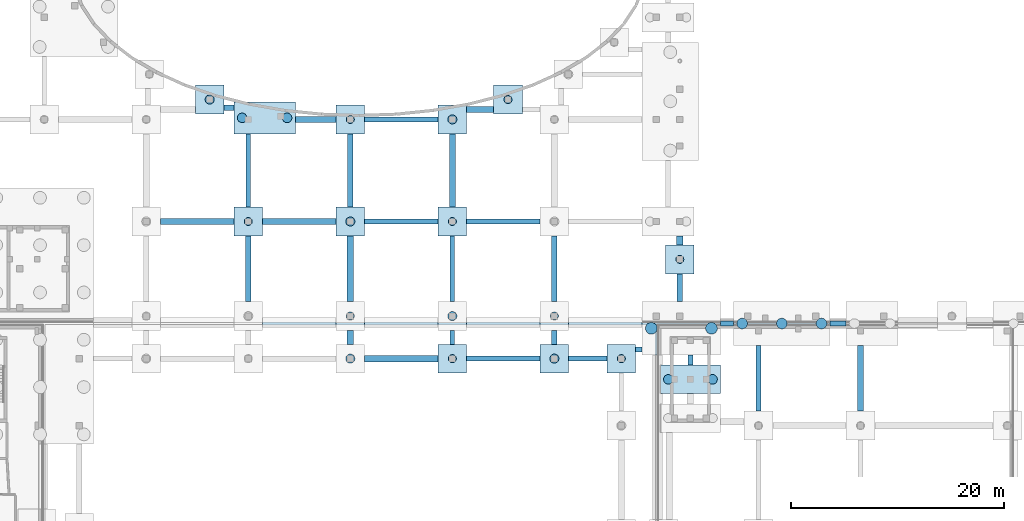
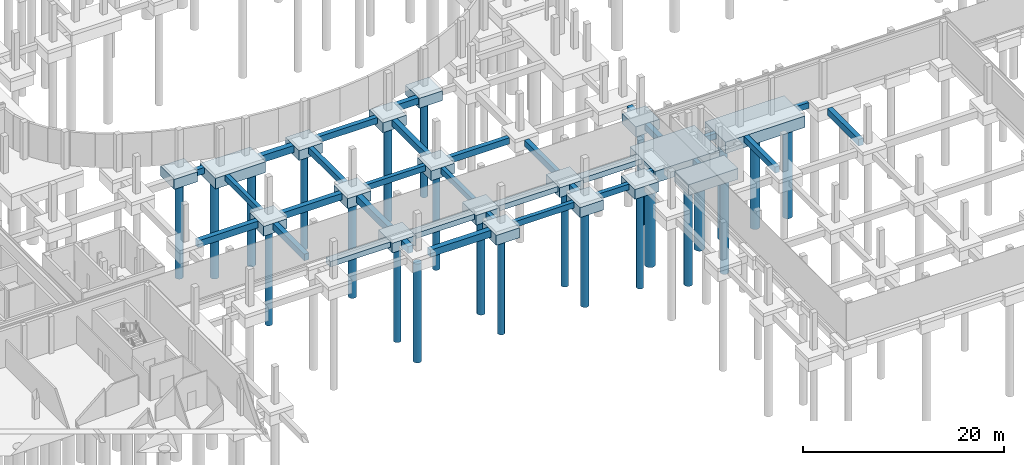
# One storey, part 4 of 40: 51 footings, 24 piles.
"""IFC4 building model written with IfcOpenShell, lengths in metres."""

from ifc_helpers import new_model, si_unit, direction, frame, origin, origin_2d, place, context, subcontext, project, spatial, polyline, circle, outline, extrude, material, material_profile, profile_set, type_object, element, save


model = new_model("IFC4")

# Units and contexts
model_context = context("Model", 3, precision=1e-05, world=origin(), true_north=direction((0.0, 1.0)))
body_context = subcontext(model_context, "Body", "Model", "MODEL_VIEW")
ifc_project = project(units=[si_unit("LENGTHUNIT", "METRE"), si_unit("AREAUNIT", "SQUARE_METRE"), si_unit("VOLUMEUNIT", "CUBIC_METRE"), si_unit("PLANEANGLEUNIT", "RADIAN"), si_unit("MASSUNIT", "GRAM", prefix="KILO")], contexts=[model_context])

# Site, building, storey
site_placement = place(None, origin())
site = spatial("IfcSite", under=ifc_project, at=site_placement, CompositionType="ELEMENT")
building_placement = place(site_placement, origin())
building = spatial("IfcBuilding", under=site, at=building_placement, Name="Mzevani Central Library", CompositionType="ELEMENT")
storey_placement = place(building_placement, frame((0.0, 0.0, -4.5)))
storey = spatial("IfcBuildingStorey", under=building, at=storey_placement, Name="B1", CompositionType="ELEMENT", Elevation=-4.5)

# Piles
ifc_material = material(Name="Concrete C40/50", Category="concrete")
ifc_material_profile_1 = material_profile(ifc_material, circle(Radius=0.5, at=origin_2d()), Name="PILE D1000")
ifc_profile_set_1 = profile_set([ifc_material_profile_1], Name="Concrete C40/50")
pile_type_1 = type_object("IfcPileType", Name="Bored Pile D1000", PredefinedType="BORED", material=ifc_profile_set_1)
for number, where, z_axis, x_axis, name in (
    (1, (120.070068359375, 42.39990234375, -1.719970703125), (0.0, 0.0, -1.0), (1.0, 0.0, 0.0), "B1 Bored Pile P-04 (74)"),
    (2, (123.800048828125, 42.39990234375, -1.719970703125), (0.0, 0.0, -1.0), (1.0, 0.0, 0.0), "B1 Bored Pile P-04 (75)"),
    (3, (127.530029296875, 42.39990234375, -1.719970703125), (0.0, 0.0, -1.0), (1.0, 0.0, 0.0), "B1 Bored Pile P-04 (76)"),
):
    element("IfcPile", number, at=place(storey_placement, frame(where, z_axis=z_axis, x_axis=x_axis)), inside=storey, type_object=pile_type_1, Name=name, PredefinedType="BORED", context=body_context, shape_type="SweptSolid", body=[
        extrude(circle(Radius=0.5, at=origin_2d()), origin(), (0.0, 0.0, 1.0), 11.780029296875),
    ])
ifc_material_profile_2 = material_profile(ifc_material, circle(Radius=0.550048828125, at=origin_2d()), Name="PILE D1100")
ifc_profile_set_2 = profile_set([ifc_material_profile_2], Name="Concrete C40/50")
pile_type_2 = type_object("IfcPileType", Name="Bored Pile D1100", PredefinedType="BORED", material=ifc_profile_set_2)
for number, where, z_axis, x_axis, name in (
    (4, (111.52001953125, 41.949951171875, -1.719970703125), (0.0, 0.0, -1.0), (1.0, 0.0, 0.0), "B1 Bored Pile P-05 (52)"),
    (5, (117.179931640625, 41.949951171875, -1.719970703125), (0.0, 0.0, -1.0), (1.0, 0.0, 0.0), "B1 Bored Pile P-05 (53)"),
):
    element("IfcPile", number, at=place(storey_placement, frame(where, z_axis=z_axis, x_axis=x_axis)), inside=storey, type_object=pile_type_2, Name=name, PredefinedType="BORED", context=body_context, shape_type="SweptSolid", body=[
        extrude(circle(Radius=0.550048828125, at=origin_2d()), origin(), (0.0, 0.0, 1.0), 11.780029296875),
    ])
ifc_material_profile_3 = material_profile(ifc_material, circle(Radius=0.375, at=origin_2d()), Name="PILE D750")
ifc_profile_set_3 = profile_set([ifc_material_profile_3], Name="Concrete C40/50")
pile_type_3 = type_object("IfcPileType", Name="Bored Pile D750", PredefinedType="BORED", material=ifc_profile_set_3)
for number, where, z_axis, x_axis, name in (
    (6, (73.60009765625, 52.0, -1.52001953125), (0.0, 0.0, -1.0), (1.0, 0.0, 0.0), "B1 Bored Pile P-01 (40)"),
    (7, (83.199951171875, 43.10009765625, -1.52001953125), (0.0, 0.0, -1.0), (1.0, 0.0, 0.0), "B1 Bored Pile P-01 (43)"),
    (8, (83.199951171875, 61.60009765625, -1.52001953125), (0.0, 0.0, -1.0), (1.0, 0.0, 0.0), "B1 Bored Pile P-01 (45)"),
    (9, (92.800048828125, 52.0, -1.52001953125), (0.0, 0.0, -1.0), (1.0, 0.0, 0.0), "B1 Bored Pile P-01 (47)"),
    (10, (102.39990234375, 43.10009765625, -1.52001953125), (0.0, 0.0, -1.0), (1.0, 0.0, 0.0), "B1 Bored Pile P-01 (49)"),
    (11, (114.199951171875, 48.43310546875, -1.52001953125), (0.0, 0.0, -1.0), (1.0, 0.0, 0.0), "B1 Bored Pile P-01 (88)"),
    (12, (98.033935546875, 63.471923828125, -1.52001953125), (0.0, 0.0, -1.0), (1.0, 0.0, 0.0), "B1 Bored Pile P-01 (92)"),
    (13, (108.699951171875, 39.10009765625, -1.52001953125), (0.0, 0.0, -1.0), (1.0, 0.0, 0.0), "B1 Bored Pile P-01 (346)"),
    (14, (92.800048828125, 39.10009765625, -1.52001953125), (0.0, 0.0, -1.0), (1.0, 0.0, 0.0), "B1 Bored Pile P-01 (350)"),
):
    element("IfcPile", number, at=place(storey_placement, frame(where, z_axis=z_axis, x_axis=x_axis)), inside=storey, type_object=pile_type_3, Name=name, PredefinedType="BORED", context=body_context, shape_type="SweptSolid", body=[
        extrude(circle(Radius=0.375, at=origin_2d()), origin(), (0.0, 0.0, 1.0), 11.97998046875),
    ])
ifc_material_profile_4 = material_profile(ifc_material, circle(Radius=0.425048828125, at=origin_2d()), Name="PILE D850")
ifc_profile_set_4 = profile_set([ifc_material_profile_4], Name="Concrete C40/50")
pile_type_4 = type_object("IfcPileType", Name="Bored Pile D850", PredefinedType="BORED", material=ifc_profile_set_4)
for number, where, z_axis, x_axis, name in (
    (15, (83.199951171875, 52.0, -1.52001953125), (0.0, 0.0, -1.0), (1.0, 0.0, 0.0), "B1 Bored Pile P-02 (44)"),
    (16, (92.800048828125, 43.10009765625, -1.52001953125), (0.0, 0.0, -1.0), (1.0, 0.0, 0.0), "B1 Bored Pile P-02 (46)"),
    (17, (92.800048828125, 61.60009765625, -1.52001953125), (0.0, 0.0, -1.0), (1.0, 0.0, 0.0), "B1 Bored Pile P-02 (48)"),
    (18, (69.966064453125, 63.471923828125, -1.52001953125), (0.0, 0.0, -1.0), (1.0, 0.0, 0.0), "B1 Bored Pile P-02 (91)"),
    (19, (83.199951171875, 39.10009765625, -1.52001953125), (0.0, 0.0, -1.0), (1.0, 0.0, 0.0), "B1 Bored Pile P-02 (349)"),
    (20, (102.39990234375, 39.10009765625, -1.52001953125), (0.0, 0.0, -1.0), (1.0, 0.0, 0.0), "B1 Bored Pile P-02 (351)"),
):
    element("IfcPile", number, at=place(storey_placement, frame(where, z_axis=z_axis, x_axis=x_axis)), inside=storey, type_object=pile_type_4, Name=name, PredefinedType="BORED", context=body_context, shape_type="SweptSolid", body=[
        extrude(circle(Radius=0.425048828125, at=origin_2d()), origin(), (0.0, 0.0, 1.0), 11.97998046875),
    ])
ifc_material_profile_5 = material_profile(ifc_material, circle(Radius=0.449951171875, at=origin_2d()), Name="PILE D900")
ifc_profile_set_5 = profile_set([ifc_material_profile_5], Name="Concrete C40/50")
pile_type_5 = type_object("IfcPileType", Name="Bored Pile D900", PredefinedType="BORED", material=ifc_profile_set_5)
for number, where, z_axis, x_axis, name in (
    (21, (73.02001953125, 61.751953125, -1.6201171875), (0.0, 0.0, -1.0), (1.0, 0.0, 0.0), "B1 Bored Pile P-03 (41)"),
    (22, (77.251953125, 61.751953125, -1.6201171875), (0.0, 0.0, -1.0), (1.0, 0.0, 0.0), "B1 Bored Pile P-03 (42)"),
    (23, (113.1201171875, 37.14990234375, -1.6201171875), (0.0, 0.0, -1.0), (1.0, 0.0, 0.0), "B1 Bored Pile P-03 (369)"),
    (24, (117.280029296875, 37.14990234375, -1.6201171875), (0.0, 0.0, -1.0), (1.0, 0.0, 0.0), "B1 Bored Pile P-03 (370)"),
):
    element("IfcPile", number, at=place(storey_placement, frame(where, z_axis=z_axis, x_axis=x_axis)), inside=storey, type_object=pile_type_5, Name=name, PredefinedType="BORED", context=body_context, shape_type="SweptSolid", body=[
        extrude(circle(Radius=0.449951171875, at=origin_2d()), origin(), (0.0, 0.0, 1.0), 11.8798828125),
    ])

# Footings
footing_type_1 = type_object("IfcFootingType", Name="Ground Tie Beam RC 450x700", PredefinedType="FOOTING_BEAM", material=ifc_material)
footing_1_placement = place(storey_placement, frame((0.0, 0.0, -1.1201171875)))
element("IfcFooting", 25, at=footing_1_placement, inside=storey, type_object=footing_type_1, Name="MAT Ground Tie Beam GB-01 (65)", PredefinedType="FOOTING_BEAM", context=body_context, shape_type="SweptSolid", body=[
    extrude(outline(polyline([(84.550048828125, 51.77490234375), (91.449951171875, 51.77490234375), (91.449951171875, 52.22509765625), (84.550048828125, 52.22509765625), (84.550048828125, 51.77490234375)])), origin(), (0.0, 0.0, 1.0), 0.7001953125),
])
footing_2_placement = place(storey_placement, frame((0.0, 0.0, -1.1201171875)))
element("IfcFooting", 26, at=footing_2_placement, inside=storey, type_object=footing_type_1, Name="MAT Ground Tie Beam GB-01 (69)", PredefinedType="FOOTING_BEAM", context=body_context, shape_type="SweptSolid", body=[
    extrude(outline(polyline([(94.14990234375, 38.875), (101.050048828125, 38.875), (101.050048828125, 39.324951171875), (94.14990234375, 39.324951171875), (94.14990234375, 38.875)])), origin(), (0.0, 0.0, 1.0), 0.7001953125),
])
footing_3_placement = place(storey_placement, frame((0.0, 0.0, -1.1201171875)))
element("IfcFooting", 27, at=footing_3_placement, inside=storey, type_object=footing_type_1, Name="MAT Ground Tie Beam GB-01 (77)", PredefinedType="FOOTING_BEAM", context=body_context, shape_type="SweptSolid", body=[
    extrude(outline(polyline([(103.75, 38.875), (107.35009765625, 38.875), (107.35009765625, 39.324951171875), (103.75, 39.324951171875), (103.75, 38.875)])), origin(), (0.0, 0.0, 1.0), 0.7001953125),
])
footing_4_placement = place(storey_placement, frame((0.0, 0.0, -1.1201171875)))
element("IfcFooting", 28, at=footing_4_placement, inside=storey, type_object=footing_type_1, Name="MAT Ground Tie Beam GB-01 (89)", PredefinedType="FOOTING_BEAM", context=body_context, shape_type="SweptSolid", body=[
    extrude(outline(polyline([(110.050048828125, 39.72509765625), (110.64990234375, 39.72509765625), (110.64990234375, 40.175048828125), (110.050048828125, 40.175048828125), (110.050048828125, 39.72509765625)])), origin(), (0.0, 0.0, 1.0), 0.7001953125),
])
footing_5_placement = place(storey_placement, frame((0.0, 0.0, -1.1201171875)))
element("IfcFooting", 29, at=footing_5_placement, inside=storey, type_object=footing_type_1, Name="MAT Ground Tie Beam GB-01 (93)", PredefinedType="FOOTING_BEAM", context=body_context, shape_type="SweptSolid", body=[
    extrude(outline(polyline([(118.050048828125, 42.175048828125), (119.25, 42.175048828125), (119.25, 42.625), (118.050048828125, 42.625), (118.050048828125, 42.175048828125)])), origin(), (0.0, 0.0, 1.0), 0.7001953125),
])
footing_6_placement = place(storey_placement, frame((0.0, 0.0, -1.1201171875)))
element("IfcFooting", 30, at=footing_6_placement, inside=storey, type_object=footing_type_1, Name="MAT Ground Tie Beam GB-01 (97)", PredefinedType="FOOTING_BEAM", context=body_context, shape_type="SweptSolid", body=[
    extrude(outline(polyline([(128.35009765625, 42.175048828125), (129.85009765625, 42.175048828125), (129.85009765625, 42.625), (128.35009765625, 42.625), (128.35009765625, 42.175048828125)])), origin(), (0.0, 0.0, 1.0), 0.7001953125),
])
footing_7_placement = place(storey_placement, frame((0.0, 0.0, -1.1201171875)))
element("IfcFooting", 31, at=footing_7_placement, inside=storey, type_object=footing_type_1, Name="MAT Ground Tie Beam GB-01 (141)", PredefinedType="FOOTING_BEAM", context=body_context, shape_type="SweptSolid", body=[
    extrude(outline(polyline([(114.97509765625, 38.5), (115.425048828125, 38.5), (115.425048828125, 39.449951171875), (114.97509765625, 39.449951171875), (114.97509765625, 38.5)])), origin(), (0.0, 0.0, 1.0), 0.7001953125),
])
footing_8_placement = place(storey_placement, frame((0.0, 0.0, -1.1201171875)))
element("IfcFooting", 32, at=footing_8_placement, inside=storey, type_object=footing_type_1, Name="MAT Ground Tie Beam GB-01 (145)", PredefinedType="FOOTING_BEAM", context=body_context, shape_type="SweptSolid", body=[
    extrude(outline(polyline([(92.574951171875, 40.449951171875), (93.02490234375, 40.449951171875), (93.02490234375, 41.75), (92.574951171875, 41.75), (92.574951171875, 40.449951171875)])), origin(), (0.0, 0.0, 1.0), 0.7001953125),
])
footing_9_placement = place(storey_placement, frame((0.0, 0.0, -1.1201171875)))
element("IfcFooting", 33, at=footing_9_placement, inside=storey, type_object=footing_type_1, Name="MAT Ground Tie Beam GB-01 (153)", PredefinedType="FOOTING_BEAM", context=body_context, shape_type="SweptSolid", body=[
    extrude(outline(polyline([(92.574951171875, 44.449951171875), (93.02490234375, 44.449951171875), (93.02490234375, 50.64990234375), (92.574951171875, 50.64990234375), (92.574951171875, 44.449951171875)])), origin(), (0.0, 0.0, 1.0), 0.7001953125),
])
footing_10_placement = place(storey_placement, frame((0.0, 0.0, -1.1201171875)))
element("IfcFooting", 34, at=footing_10_placement, inside=storey, type_object=footing_type_1, Name="MAT Ground Tie Beam GB-01 (161)", PredefinedType="FOOTING_BEAM", context=body_context, shape_type="SweptSolid", body=[
    extrude(outline(polyline([(73.375, 53.35009765625), (73.824951171875, 53.35009765625), (73.824951171875, 60.25), (73.375, 60.25), (73.375, 53.35009765625)])), origin(), (0.0, 0.0, 1.0), 0.7001953125),
])
footing_type_2 = type_object("IfcFootingType", Name="Ground Tie Beam RC 500x750", PredefinedType="FOOTING_BEAM", material=ifc_material)
footing_11_placement = place(storey_placement, frame((0.0, 0.0, -1.169921875)))
element("IfcFooting", 35, at=footing_11_placement, inside=storey, type_object=footing_type_2, Name="MAT Ground Tie Beam GB-02 (54)", PredefinedType="FOOTING_BEAM", context=body_context, shape_type="SweptSolid", body=[
    extrude(outline(polyline([(71.31591796875, 62.43798828125), (72.25, 62.43798828125), (72.25, 62.93798828125), (71.31591796875, 62.93798828125), (71.31591796875, 62.43798828125)])), origin(), (0.0, 0.0, 1.0), 0.75),
])
footing_12_placement = place(storey_placement, frame((0.0, 0.0, -1.169921875)))
element("IfcFooting", 36, at=footing_12_placement, inside=storey, type_object=footing_type_2, Name="MAT Ground Tie Beam GB-02 (66)", PredefinedType="FOOTING_BEAM", context=body_context, shape_type="SweptSolid", body=[
    extrude(outline(polyline([(84.550048828125, 61.35009765625), (91.449951171875, 61.35009765625), (91.449951171875, 61.85009765625), (84.550048828125, 61.85009765625), (84.550048828125, 61.35009765625)])), origin(), (0.0, 0.0, 1.0), 0.75),
])
footing_13_placement = place(storey_placement, frame((0.0, 0.0, -1.169921875)))
element("IfcFooting", 37, at=footing_13_placement, inside=storey, type_object=footing_type_2, Name="MAT Ground Tie Beam GB-02 (70)", PredefinedType="FOOTING_BEAM", context=body_context, shape_type="SweptSolid", body=[
    extrude(outline(polyline([(94.14990234375, 51.75), (101.050048828125, 51.75), (101.050048828125, 52.25), (94.14990234375, 52.25), (94.14990234375, 51.75)])), origin(), (0.0, 0.0, 1.0), 0.75),
])
footing_14_placement = place(storey_placement, frame((0.0, 0.0, -1.169921875)))
element("IfcFooting", 38, at=footing_14_placement, inside=storey, type_object=footing_type_2, Name="MAT Ground Tie Beam GB-02 (138)", PredefinedType="FOOTING_BEAM", context=body_context, shape_type="SweptSolid", body=[
    extrude(outline(polyline([(121.35009765625, 34.14990234375), (121.85009765625, 34.14990234375), (121.85009765625, 40.35009765625), (121.35009765625, 40.35009765625), (121.35009765625, 34.14990234375)])), origin(), (0.0, 0.0, 1.0), 0.75),
])
footing_15_placement = place(storey_placement, frame((0.0, 0.0, -1.169921875)))
element("IfcFooting", 39, at=footing_15_placement, inside=storey, type_object=footing_type_2, Name="MAT Ground Tie Beam GB-02 (146)", PredefinedType="FOOTING_BEAM", context=body_context, shape_type="SweptSolid", body=[
    extrude(outline(polyline([(102.14990234375, 40.449951171875), (102.64990234375, 40.449951171875), (102.64990234375, 41.75), (102.14990234375, 41.75), (102.14990234375, 40.449951171875)])), origin(), (0.0, 0.0, 1.0), 0.75),
])
footing_16_placement = place(storey_placement, frame((0.0, 0.0, -1.169921875)))
element("IfcFooting", 40, at=footing_16_placement, inside=storey, type_object=footing_type_2, Name="MAT Ground Tie Beam GB-02 (154)", PredefinedType="FOOTING_BEAM", context=body_context, shape_type="SweptSolid", body=[
    extrude(outline(polyline([(102.14990234375, 44.449951171875), (102.64990234375, 44.449951171875), (102.64990234375, 50.64990234375), (102.14990234375, 50.64990234375), (102.14990234375, 44.449951171875)])), origin(), (0.0, 0.0, 1.0), 0.75),
])
footing_17_placement = place(storey_placement, frame((0.0, 0.0, -1.169921875)))
element("IfcFooting", 41, at=footing_17_placement, inside=storey, type_object=footing_type_2, Name="MAT Ground Tie Beam GB-02 (162)", PredefinedType="FOOTING_BEAM", context=body_context, shape_type="SweptSolid", body=[
    extrude(outline(polyline([(82.949951171875, 53.35009765625), (83.449951171875, 53.35009765625), (83.449951171875, 60.25), (82.949951171875, 60.25), (82.949951171875, 53.35009765625)])), origin(), (0.0, 0.0, 1.0), 0.75),
])
footing_type_3 = type_object("IfcFootingType", Name="Ground Tie Beam RC 550x800", PredefinedType="FOOTING_BEAM", material=ifc_material)
footing_18_placement = place(storey_placement, frame((0.0, 0.0, -1.219970703125)))
element("IfcFooting", 42, at=footing_18_placement, inside=storey, type_object=footing_type_3, Name="MAT Ground Tie Beam GB-03 (51)", PredefinedType="FOOTING_BEAM", context=body_context, shape_type="SweptSolid", body=[
    extrude(outline(polyline([(65.35009765625, 51.72509765625), (72.25, 51.72509765625), (72.25, 52.27490234375), (65.35009765625, 52.27490234375), (65.35009765625, 51.72509765625)])), origin(), (0.0, 0.0, 1.0), 0.800048828125),
])
footing_19_placement = place(storey_placement, frame((0.0, 0.0, -1.219970703125)))
element("IfcFooting", 43, at=footing_19_placement, inside=storey, type_object=footing_type_3, Name="MAT Ground Tie Beam GB-03 (59)", PredefinedType="FOOTING_BEAM", context=body_context, shape_type="SweptSolid", body=[
    extrude(outline(polyline([(74.949951171875, 51.72509765625), (81.85009765625, 51.72509765625), (81.85009765625, 52.27490234375), (74.949951171875, 52.27490234375), (74.949951171875, 51.72509765625)])), origin(), (0.0, 0.0, 1.0), 0.800048828125),
])
footing_20_placement = place(storey_placement, frame((0.0, 0.0, -1.219970703125)))
element("IfcFooting", 44, at=footing_20_placement, inside=storey, type_object=footing_type_3, Name="MAT Ground Tie Beam GB-03 (71)", PredefinedType="FOOTING_BEAM", context=body_context, shape_type="SweptSolid", body=[
    extrude(outline(polyline([(94.14990234375, 62.260986328125), (96.68408203125, 62.260986328125), (96.68408203125, 62.81103515625), (94.14990234375, 62.81103515625), (94.14990234375, 62.260986328125)])), origin(), (0.0, 0.0, 1.0), 0.800048828125),
])
footing_21_placement = place(storey_placement, frame((0.0, 0.0, -1.219970703125)))
element("IfcFooting", 45, at=footing_21_placement, inside=storey, type_object=footing_type_3, Name="MAT Ground Tie Beam GB-03 (139)", PredefinedType="FOOTING_BEAM", context=body_context, shape_type="SweptSolid", body=[
    extrude(outline(polyline([(130.925048828125, 34.14990234375), (131.47509765625, 34.14990234375), (131.47509765625, 40.35009765625), (130.925048828125, 40.35009765625), (130.925048828125, 34.14990234375)])), origin(), (0.0, 0.0, 1.0), 0.800048828125),
])
footing_22_placement = place(storey_placement, frame((0.0, 0.0, -1.219970703125)))
element("IfcFooting", 46, at=footing_22_placement, inside=storey, type_object=footing_type_3, Name="MAT Ground Tie Beam GB-03 (147)", PredefinedType="FOOTING_BEAM", context=body_context, shape_type="SweptSolid", body=[
    extrude(outline(polyline([(113.925048828125, 44.449951171875), (114.47509765625, 44.449951171875), (114.47509765625, 47.0830078125), (113.925048828125, 47.0830078125), (113.925048828125, 44.449951171875)])), origin(), (0.0, 0.0, 1.0), 0.800048828125),
])
footing_23_placement = place(storey_placement, frame((0.0, 0.0, -1.219970703125)))
element("IfcFooting", 47, at=footing_23_placement, inside=storey, type_object=footing_type_3, Name="MAT Ground Tie Beam GB-03 (151)", PredefinedType="FOOTING_BEAM", context=body_context, shape_type="SweptSolid", body=[
    extrude(outline(polyline([(73.324951171875, 44.449951171875), (73.875, 44.449951171875), (73.875, 50.64990234375), (73.324951171875, 50.64990234375), (73.324951171875, 44.449951171875)])), origin(), (0.0, 0.0, 1.0), 0.800048828125),
])
footing_24_placement = place(storey_placement, frame((0.0, 0.0, -1.219970703125)))
element("IfcFooting", 48, at=footing_24_placement, inside=storey, type_object=footing_type_3, Name="MAT Ground Tie Beam GB-03 (163)", PredefinedType="FOOTING_BEAM", context=body_context, shape_type="SweptSolid", body=[
    extrude(outline(polyline([(92.52490234375, 53.35009765625), (93.074951171875, 53.35009765625), (93.074951171875, 60.25), (92.52490234375, 60.25), (92.52490234375, 53.35009765625)])), origin(), (0.0, 0.0, 1.0), 0.800048828125),
])
footing_type_4 = type_object("IfcFootingType", Name="Ground Tie Beam RC 600x850", PredefinedType="FOOTING_BEAM", material=ifc_material)
footing_25_placement = place(storey_placement, frame((0.0, 0.0, -1.27001953125)))
element("IfcFooting", 49, at=footing_25_placement, inside=storey, type_object=footing_type_4, Name="MAT Ground Tie Beam GB-04 (60)", PredefinedType="FOOTING_BEAM", context=body_context, shape_type="SweptSolid", body=[
    extrude(outline(polyline([(78.02197265625, 61.300048828125), (81.85009765625, 61.300048828125), (81.85009765625, 61.89990234375), (78.02197265625, 61.89990234375), (78.02197265625, 61.300048828125)])), origin(), (0.0, 0.0, 1.0), 0.85009765625),
])
footing_26_placement = place(storey_placement, frame((0.0, 0.0, -1.27001953125)))
element("IfcFooting", 50, at=footing_26_placement, inside=storey, type_object=footing_type_4, Name="MAT Ground Tie Beam GB-04 (64)", PredefinedType="FOOTING_BEAM", context=body_context, shape_type="SweptSolid", body=[
    extrude(outline(polyline([(84.550048828125, 38.800048828125), (91.449951171875, 38.800048828125), (91.449951171875, 39.39990234375), (84.550048828125, 39.39990234375), (84.550048828125, 38.800048828125)])), origin(), (0.0, 0.0, 1.0), 0.85009765625),
])
footing_27_placement = place(storey_placement, frame((0.0, 0.0, -1.27001953125)))
element("IfcFooting", 51, at=footing_27_placement, inside=storey, type_object=footing_type_4, Name="MAT Ground Tie Beam GB-04 (144)", PredefinedType="FOOTING_BEAM", context=body_context, shape_type="SweptSolid", body=[
    extrude(outline(polyline([(82.89990234375, 40.449951171875), (83.5, 40.449951171875), (83.5, 41.75), (82.89990234375, 41.75), (82.89990234375, 40.449951171875)])), origin(), (0.0, 0.0, 1.0), 0.85009765625),
])
footing_28_placement = place(storey_placement, frame((0.0, 0.0, -1.27001953125)))
element("IfcFooting", 52, at=footing_28_placement, inside=storey, type_object=footing_type_4, Name="MAT Ground Tie Beam GB-04 (152)", PredefinedType="FOOTING_BEAM", context=body_context, shape_type="SweptSolid", body=[
    extrude(outline(polyline([(82.89990234375, 44.449951171875), (83.5, 44.449951171875), (83.5, 50.64990234375), (82.89990234375, 50.64990234375), (82.89990234375, 44.449951171875)])), origin(), (0.0, 0.0, 1.0), 0.85009765625),
])
footing_29_placement = place(storey_placement, frame((0.0, 0.0, -1.27001953125)))
element("IfcFooting", 53, at=footing_29_placement, inside=storey, type_object=footing_type_4, Name="MAT Ground Tie Beam GB-04 (156)", PredefinedType="FOOTING_BEAM", context=body_context, shape_type="SweptSolid", body=[
    extrude(outline(polyline([(113.89990234375, 49.782958984375), (114.5, 49.782958984375), (114.5, 50.64990234375), (113.89990234375, 50.64990234375), (113.89990234375, 49.782958984375)])), origin(), (0.0, 0.0, 1.0), 0.85009765625),
])
footing_type_5 = type_object("IfcFootingType", Name="Perimeter Strip Footing RC 900x650", PredefinedType="STRIP_FOOTING", material=ifc_material)
footing_30_placement = place(storey_placement, frame((0.0, 0.0, -1.070068359375)))
element("IfcFooting", 54, at=footing_30_placement, inside=storey, type_object=footing_type_5, Name="B1 Perimeter Strip Footing SF-02 (6)", PredefinedType="STRIP_FOOTING", context=body_context, shape_type="SweptSolid", body=[
    extrude(outline(polyline([(81.85009765625, 42.050048828125), (74.949951171875, 42.050048828125), (74.949951171875, 42.949951171875), (81.85009765625, 42.949951171875), (81.85009765625, 42.050048828125)])), origin(), (0.0, 0.0, 1.0), 0.650146484375),
])
footing_31_placement = place(storey_placement, frame((0.0, 0.0, -1.070068359375)))
element("IfcFooting", 55, at=footing_31_placement, inside=storey, type_object=footing_type_5, Name="B1 Perimeter Strip Footing SF-02 (7)", PredefinedType="STRIP_FOOTING", context=body_context, shape_type="SweptSolid", body=[
    extrude(outline(polyline([(91.449951171875, 42.050048828125), (84.550048828125, 42.050048828125), (84.550048828125, 42.949951171875), (91.449951171875, 42.949951171875), (91.449951171875, 42.050048828125)])), origin(), (0.0, 0.0, 1.0), 0.650146484375),
])
footing_32_placement = place(storey_placement, frame((0.0, 0.0, -1.070068359375)))
element("IfcFooting", 56, at=footing_32_placement, inside=storey, type_object=footing_type_5, Name="B1 Perimeter Strip Footing SF-02 (8)", PredefinedType="STRIP_FOOTING", context=body_context, shape_type="SweptSolid", body=[
    extrude(outline(polyline([(101.050048828125, 42.050048828125), (94.14990234375, 42.050048828125), (94.14990234375, 42.949951171875), (101.050048828125, 42.949951171875), (101.050048828125, 42.050048828125)])), origin(), (0.0, 0.0, 1.0), 0.650146484375),
])
footing_33_placement = place(storey_placement, frame((0.0, 0.0, -1.070068359375)))
element("IfcFooting", 57, at=footing_33_placement, inside=storey, type_object=footing_type_5, Name="B1 Perimeter Strip Footing SF-02 (9)", PredefinedType="STRIP_FOOTING", context=body_context, shape_type="SweptSolid", body=[
    extrude(outline(polyline([(110.64990234375, 42.050048828125), (103.75, 42.050048828125), (103.75, 42.949951171875), (110.64990234375, 42.949951171875), (110.64990234375, 42.050048828125)])), origin(), (0.0, 0.0, 1.0), 0.650146484375),
])
footing_type_6 = type_object("IfcFootingType", Name="Pile Cap RC 2700x2700x1200", PredefinedType="PILE_CAP", material=ifc_material)
footing_34_placement = place(storey_placement, frame((0.0, 0.0, -1.6201171875)))
element("IfcFooting", 58, at=footing_34_placement, inside=storey, type_object=footing_type_6, Name="B1 Pile Cap PC-02 (8)", PredefinedType="PILE_CAP", context=body_context, shape_type="SweptSolid", body=[
    extrude(outline(polyline([(72.25, 50.64990234375), (74.949951171875, 50.64990234375), (74.949951171875, 53.35009765625), (72.25, 53.35009765625), (72.25, 50.64990234375)])), origin(), (0.0, 0.0, 1.0), 1.2001953125),
])
footing_35_placement = place(storey_placement, frame((0.0, 0.0, -1.6201171875)))
element("IfcFooting", 59, at=footing_35_placement, inside=storey, type_object=footing_type_6, Name="B1 Pile Cap PC-02 (10)", PredefinedType="PILE_CAP", context=body_context, shape_type="SweptSolid", body=[
    extrude(outline(polyline([(81.85009765625, 41.75), (84.550048828125, 41.75), (84.550048828125, 44.449951171875), (81.85009765625, 44.449951171875), (81.85009765625, 41.75)])), origin(), (0.0, 0.0, 1.0), 1.2001953125),
])
footing_36_placement = place(storey_placement, frame((0.0, 0.0, -1.6201171875)))
element("IfcFooting", 60, at=footing_36_placement, inside=storey, type_object=footing_type_6, Name="B1 Pile Cap PC-02 (11)", PredefinedType="PILE_CAP", context=body_context, shape_type="SweptSolid", body=[
    extrude(outline(polyline([(81.85009765625, 50.64990234375), (84.550048828125, 50.64990234375), (84.550048828125, 53.35009765625), (81.85009765625, 53.35009765625), (81.85009765625, 50.64990234375)])), origin(), (0.0, 0.0, 1.0), 1.2001953125),
])
footing_37_placement = place(storey_placement, frame((0.0, 0.0, -1.6201171875)))
element("IfcFooting", 61, at=footing_37_placement, inside=storey, type_object=footing_type_6, Name="B1 Pile Cap PC-02 (12)", PredefinedType="PILE_CAP", context=body_context, shape_type="SweptSolid", body=[
    extrude(outline(polyline([(81.85009765625, 60.25), (84.550048828125, 60.25), (84.550048828125, 62.949951171875), (81.85009765625, 62.949951171875), (81.85009765625, 60.25)])), origin(), (0.0, 0.0, 1.0), 1.2001953125),
])
footing_38_placement = place(storey_placement, frame((0.0, 0.0, -1.6201171875)))
element("IfcFooting", 62, at=footing_38_placement, inside=storey, type_object=footing_type_6, Name="B1 Pile Cap PC-02 (13)", PredefinedType="PILE_CAP", context=body_context, shape_type="SweptSolid", body=[
    extrude(outline(polyline([(91.449951171875, 41.75), (94.14990234375, 41.75), (94.14990234375, 44.449951171875), (91.449951171875, 44.449951171875), (91.449951171875, 41.75)])), origin(), (0.0, 0.0, 1.0), 1.2001953125),
])
footing_39_placement = place(storey_placement, frame((0.0, 0.0, -1.6201171875)))
element("IfcFooting", 63, at=footing_39_placement, inside=storey, type_object=footing_type_6, Name="B1 Pile Cap PC-02 (14)", PredefinedType="PILE_CAP", context=body_context, shape_type="SweptSolid", body=[
    extrude(outline(polyline([(91.449951171875, 50.64990234375), (94.14990234375, 50.64990234375), (94.14990234375, 53.35009765625), (91.449951171875, 53.35009765625), (91.449951171875, 50.64990234375)])), origin(), (0.0, 0.0, 1.0), 1.2001953125),
])
footing_40_placement = place(storey_placement, frame((0.0, 0.0, -1.6201171875)))
element("IfcFooting", 64, at=footing_40_placement, inside=storey, type_object=footing_type_6, Name="B1 Pile Cap PC-02 (15)", PredefinedType="PILE_CAP", context=body_context, shape_type="SweptSolid", body=[
    extrude(outline(polyline([(91.449951171875, 60.25), (94.14990234375, 60.25), (94.14990234375, 62.949951171875), (91.449951171875, 62.949951171875), (91.449951171875, 60.25)])), origin(), (0.0, 0.0, 1.0), 1.2001953125),
])
footing_41_placement = place(storey_placement, frame((0.0, 0.0, -1.6201171875)))
element("IfcFooting", 65, at=footing_41_placement, inside=storey, type_object=footing_type_6, Name="B1 Pile Cap PC-02 (16)", PredefinedType="PILE_CAP", context=body_context, shape_type="SweptSolid", body=[
    extrude(outline(polyline([(101.050048828125, 41.75), (103.75, 41.75), (103.75, 44.449951171875), (101.050048828125, 44.449951171875), (101.050048828125, 41.75)])), origin(), (0.0, 0.0, 1.0), 1.2001953125),
])
footing_42_placement = place(storey_placement, frame((0.0, 0.0, -1.6201171875)))
element("IfcFooting", 66, at=footing_42_placement, inside=storey, type_object=footing_type_6, Name="B1 Pile Cap PC-02 (40)", PredefinedType="PILE_CAP", context=body_context, shape_type="SweptSolid", body=[
    extrude(outline(polyline([(112.85009765625, 47.0830078125), (115.550048828125, 47.0830078125), (115.550048828125, 49.782958984375), (112.85009765625, 49.782958984375), (112.85009765625, 47.0830078125)])), origin(), (0.0, 0.0, 1.0), 1.2001953125),
])
footing_43_placement = place(storey_placement, frame((0.0, 0.0, -1.6201171875)))
element("IfcFooting", 67, at=footing_43_placement, inside=storey, type_object=footing_type_6, Name="B1 Pile Cap PC-02 (43)", PredefinedType="PILE_CAP", context=body_context, shape_type="SweptSolid", body=[
    extrude(outline(polyline([(68.615966796875, 62.1220703125), (71.31591796875, 62.1220703125), (71.31591796875, 64.822021484375), (68.615966796875, 64.822021484375), (68.615966796875, 62.1220703125)])), origin(), (0.0, 0.0, 1.0), 1.2001953125),
])
footing_44_placement = place(storey_placement, frame((0.0, 0.0, -1.6201171875)))
element("IfcFooting", 68, at=footing_44_placement, inside=storey, type_object=footing_type_6, Name="B1 Pile Cap PC-02 (44)", PredefinedType="PILE_CAP", context=body_context, shape_type="SweptSolid", body=[
    extrude(outline(polyline([(96.68408203125, 62.1220703125), (99.384033203125, 62.1220703125), (99.384033203125, 64.822021484375), (96.68408203125, 64.822021484375), (96.68408203125, 62.1220703125)])), origin(), (0.0, 0.0, 1.0), 1.2001953125),
])
footing_45_placement = place(storey_placement, frame((0.0, 0.0, -1.6201171875)))
element("IfcFooting", 69, at=footing_45_placement, inside=storey, type_object=footing_type_6, Name="B1 Pile Cap PC-02 (158)", PredefinedType="PILE_CAP", context=body_context, shape_type="SweptSolid", body=[
    extrude(outline(polyline([(107.35009765625, 37.75), (110.050048828125, 37.75), (110.050048828125, 40.449951171875), (107.35009765625, 40.449951171875), (107.35009765625, 37.75)])), origin(), (0.0, 0.0, 1.0), 1.2001953125),
])
footing_46_placement = place(storey_placement, frame((0.0, 0.0, -1.6201171875)))
element("IfcFooting", 70, at=footing_46_placement, inside=storey, type_object=footing_type_6, Name="B1 Pile Cap PC-02 (162)", PredefinedType="PILE_CAP", context=body_context, shape_type="SweptSolid", body=[
    extrude(outline(polyline([(91.449951171875, 37.75), (94.14990234375, 37.75), (94.14990234375, 40.449951171875), (91.449951171875, 40.449951171875), (91.449951171875, 37.75)])), origin(), (0.0, 0.0, 1.0), 1.2001953125),
])
footing_47_placement = place(storey_placement, frame((0.0, 0.0, -1.6201171875)))
element("IfcFooting", 71, at=footing_47_placement, inside=storey, type_object=footing_type_6, Name="B1 Pile Cap PC-02 (163)", PredefinedType="PILE_CAP", context=body_context, shape_type="SweptSolid", body=[
    extrude(outline(polyline([(101.050048828125, 37.75), (103.75, 37.75), (103.75, 40.449951171875), (101.050048828125, 40.449951171875), (101.050048828125, 37.75)])), origin(), (0.0, 0.0, 1.0), 1.2001953125),
])
footing_type_7 = type_object("IfcFootingType", Name="Pile Cap RC 5700x2700x1300", PredefinedType="PILE_CAP", material=ifc_material)
footing_48_placement = place(storey_placement, frame((0.0, 0.0, -1.719970703125)))
element("IfcFooting", 72, at=footing_48_placement, inside=storey, type_object=footing_type_7, Name="B1 Pile Cap PC-40 (169)", PredefinedType="PILE_CAP", context=body_context, shape_type="SweptSolid", body=[
    extrude(outline(polyline([(112.35009765625, 35.800048828125), (118.050048828125, 35.800048828125), (118.050048828125, 38.5), (112.35009765625, 38.5), (112.35009765625, 35.800048828125)])), origin(), (0.0, 0.0, 1.0), 1.300048828125),
])
footing_type_8 = type_object("IfcFootingType", Name="Pile Cap RC 5770x3000x1300", PredefinedType="PILE_CAP", material=ifc_material)
footing_49_placement = place(storey_placement, frame((0.0, 0.0, -1.719970703125)))
element("IfcFooting", 73, at=footing_49_placement, inside=storey, type_object=footing_type_8, Name="B1 Pile Cap PC-04 (9)", PredefinedType="PILE_CAP", context=body_context, shape_type="SweptSolid", body=[
    extrude(outline(polyline([(72.25, 60.25), (78.02197265625, 60.25), (78.02197265625, 63.25390625), (72.25, 63.25390625), (72.25, 60.25)])), origin(), (0.0, 0.0, 1.0), 1.300048828125),
])
footing_type_9 = type_object("IfcFootingType", Name="Pile Cap RC 7400x5000x1400", PredefinedType="PILE_CAP", material=ifc_material)
footing_50_placement = place(storey_placement, frame((0.0, 0.0, -1.820068359375)))
element("IfcFooting", 74, at=footing_50_placement, inside=storey, type_object=footing_type_9, Name="B1 Pile Cap PC-05 (19)", PredefinedType="PILE_CAP", context=body_context, shape_type="SweptSolid", body=[
    extrude(outline(polyline([(110.64990234375, 39.449951171875), (118.050048828125, 39.449951171875), (118.050048828125, 44.449951171875), (110.64990234375, 44.449951171875), (110.64990234375, 39.449951171875)])), origin(), (0.0, 0.0, 1.0), 1.400146484375),
])
footing_type_10 = type_object("IfcFootingType", Name="Pile Cap RC 9100x4100x1400", PredefinedType="PILE_CAP", material=ifc_material)
footing_51_placement = place(storey_placement, frame((0.0, 0.0, -1.820068359375)))
element("IfcFooting", 75, at=footing_51_placement, inside=storey, type_object=footing_type_10, Name="B1 Pile Cap PC-10 (30)", PredefinedType="PILE_CAP", context=body_context, shape_type="SweptSolid", body=[
    extrude(outline(polyline([(119.25, 40.35009765625), (128.35009765625, 40.35009765625), (128.35009765625, 44.449951171875), (119.25, 44.449951171875), (119.25, 40.35009765625)])), origin(), (0.0, 0.0, 1.0), 1.400146484375),
])

save(model, "model.ifc")
